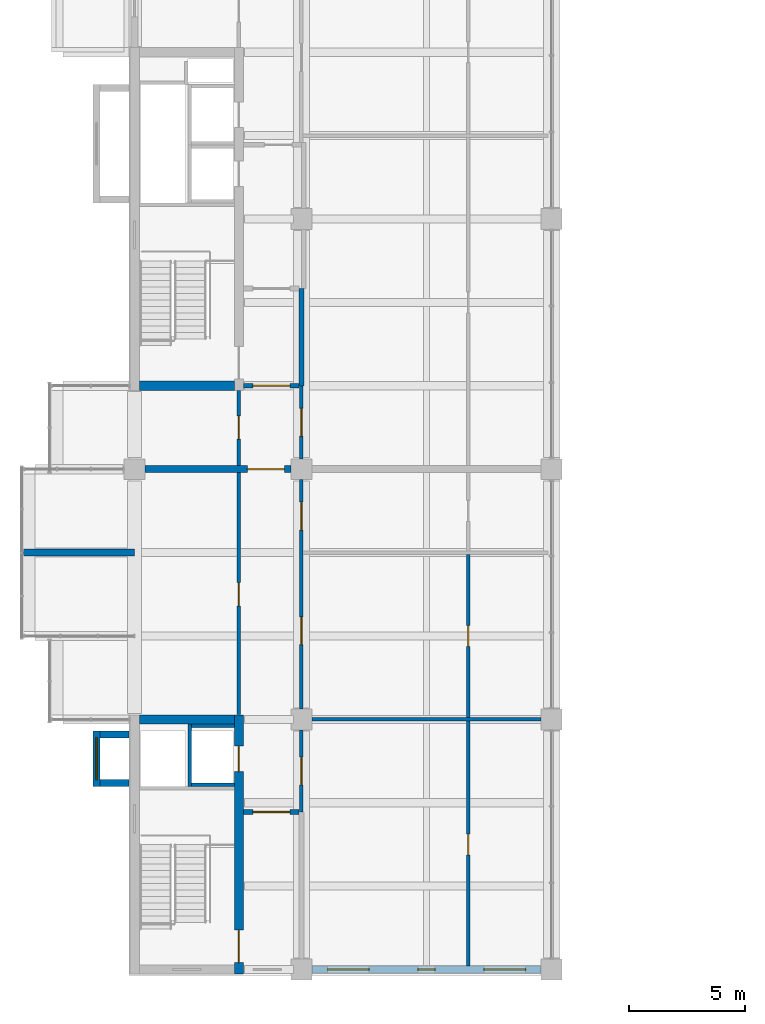
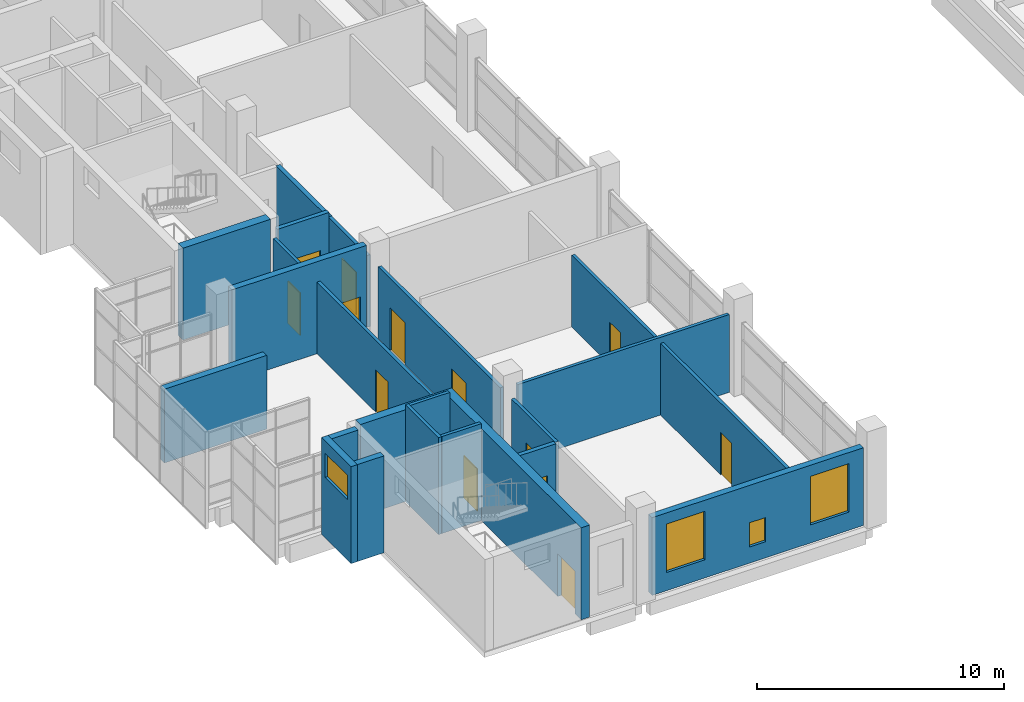
# One storey, part 22 of 32: 23 walls, 13 doors, 4 windows, 17 openings.
"""IFC4 building model written with IfcOpenShell, lengths in metres."""

from ifc_helpers import new_model, si_unit, direction, frame, frame_2d, origin, place, context, subcontext, project, spatial, rectangle, extrude, material, layer, layer_set, type_object, element, fill, save


model = new_model("IFC4")

# Units and contexts
model_context = context("Model", 3, precision=1e-05, world=origin(), true_north=direction((0.0, 1.0)))
body_context = subcontext(model_context, "Body", "Model", "MODEL_VIEW")
ifc_project = project(units=[si_unit("LENGTHUNIT", "METRE"), si_unit("AREAUNIT", "SQUARE_METRE"), si_unit("VOLUMEUNIT", "CUBIC_METRE"), si_unit("PLANEANGLEUNIT", "RADIAN"), si_unit("MASSUNIT", "GRAM", prefix="KILO")], contexts=[model_context])

# Site, building, storey
site_placement = place(None, origin())
site = spatial("IfcSite", under=ifc_project, at=site_placement, CompositionType="ELEMENT")
building_placement = place(site_placement, origin())
building = spatial("IfcBuilding", under=site, at=building_placement, Name="Basin Gate Institute", CompositionType="ELEMENT")
storey_placement = place(building_placement, frame((0.0, 0.0, 41.39990234375)))
storey = spatial("IfcBuildingStorey", under=building, at=storey_placement, Name="L08", CompositionType="ELEMENT", Elevation=41.39990234375)

# Wall
ifc_material_1 = material(Name="Aluminium-faced insulated panel wall", Category="aluminium")
ifc_layer_1 = layer(ifc_material_1, 0.300048828125)
ifc_layer_set_1 = layer_set([ifc_layer_1], Name="Capsule side wall EW2 EI 120")
wall_type_1 = type_object("IfcWallType", Name="Capsule side wall EW2 EI 120", PredefinedType="STANDARD", material=ifc_layer_set_1)
wall_1_placement = place(storey_placement, frame((56.39990234375, 53.10009765625, 0.0), z_axis=(0.0, 0.0, 1.0), x_axis=(1.0, 0.0, 0.0)))
element("IfcWall", 1, at=wall_1_placement, inside=storey, type_object=wall_type_1, material=ifc_layer_set_1, Name="Capsule side wall W wing L08 line 6", PredefinedType="STANDARD", context=body_context, shape_type="SweptSolid", body=[
    extrude(rectangle(XDim=4.800048828125, YDim=0.300048828125, at=frame_2d((2.39990234375, 0.0))), origin(), (0.0, 0.0, 1.0), 3.650146484375),
])

# Wall, opening, door
ifc_material_2 = material(Name="Fire-rated masonry", Category="masonry")
ifc_layer_2 = layer(ifc_material_2, 0.199951171875)
ifc_layer_set_2 = layer_set([ifc_layer_2], Name="Enclosure wall PW2 200 EI 60")
wall_type_2 = type_object("IfcWallType", Name="Enclosure wall PW2 200 EI 60", PredefinedType="PARTITIONING", material=ifc_layer_set_2)
wall_2_placement = place(storey_placement, frame((65.89990234375, 41.89990234375, 0.0), z_axis=(0.0, 0.0, 1.0), x_axis=(1.0, 0.0, 0.0)))
wall_2 = element("IfcWall", 2, at=wall_2_placement, inside=storey, type_object=wall_type_2, material=ifc_layer_set_2, Name="Smoke lobby enclosure wall PW2 L08", PredefinedType="PARTITIONING", context=body_context, shape_type="SweptSolid", body=[
    extrude(rectangle(XDim=2.400146484375, YDim=0.199951171875, at=frame_2d((1.2001953125, 0.0))), origin(), (0.0, 0.0, 1.0), 3.550048828125),
])
opening_1_placement = place(wall_2_placement, frame((0.39990234375, 0.0, 0.0)))
opening_1 = element("IfcOpeningElement", 3, at=opening_1_placement, cuts=wall_2, Name="Opening DR403", PredefinedType="OPENING", context=body_context, shape_type="SweptSolid", body=[
    extrude(rectangle(XDim=1.60009765625, YDim=2.10009765625, at=frame_2d((0.800048828125, 1.050048828125))), frame((0.0, 0.10986328125, 0.0), z_axis=(0.0, -1.0, 0.0), x_axis=(1.0, 0.0, 0.0)), (0.0, 0.0, 1.0), 0.219970703125),
])
ifc_material_3 = material(Name="Steel fire door", Category="steel")
door_type_1 = type_object("IfcDoorType", Name="FD60 Smoke lobby door pair D8", OperationType="DOUBLE_DOOR_SINGLE_SWING", PredefinedType="DOOR", material=ifc_material_3)
door_1_placement = place(opening_1_placement, frame((1.60009765625, 0.0, 0.0), z_axis=(0.0, 0.0, 1.0), x_axis=(-1.0, 0.0, 0.0)))
door_1 = element("IfcDoor", 4, at=door_1_placement, inside=storey, type_object=door_type_1, material=ifc_material_3, Name="Smoke lobby door SS1 L08", OperationType="DOUBLE_DOOR_SINGLE_SWING", OverallHeight=2.10009765625, OverallWidth=1.60009765625, PredefinedType="DOOR", context=body_context, shape_type="SweptSolid", body=[
    extrude(rectangle(XDim=1.60009765625, YDim=2.10009765625, at=frame_2d((0.800048828125, 1.050048828125))), frame((0.0, 0.02490234375, 0.0), z_axis=(0.0, -1.0, 0.0), x_axis=(1.0, 0.0, 0.0)), (0.0, 0.0, 1.0), 0.050048828125),
])
fill(opening_1, door_1)

wall_3_placement = place(storey_placement, frame((65.89990234375, 60.300048828125, 0.0), z_axis=(0.0, 0.0, 1.0), x_axis=(1.0, 0.0, 0.0)))
wall_3 = element("IfcWall", 5, at=wall_3_placement, inside=storey, type_object=wall_type_2, material=ifc_layer_set_2, Name="Smoke lobby enclosure wall PW2 L08", PredefinedType="PARTITIONING", context=body_context, shape_type="SweptSolid", body=[
    extrude(rectangle(XDim=2.400146484375, YDim=0.199951171875, at=frame_2d((1.2001953125, 0.0))), origin(), (0.0, 0.0, 1.0), 3.85009765625),
])
opening_2_placement = place(wall_3_placement, frame((0.39990234375, 0.0, 0.0)))
opening_2 = element("IfcOpeningElement", 6, at=opening_2_placement, cuts=wall_3, Name="Opening DR404", PredefinedType="OPENING", context=body_context, shape_type="SweptSolid", body=[
    extrude(rectangle(XDim=1.60009765625, YDim=2.10009765625, at=frame_2d((0.800048828125, 1.050048828125))), frame((0.0, 0.10986328125, 0.0), z_axis=(0.0, -1.0, 0.0), x_axis=(1.0, 0.0, 0.0)), (0.0, 0.0, 1.0), 0.219970703125),
])
door_2_placement = place(opening_2_placement, origin())
door_2 = element("IfcDoor", 7, at=door_2_placement, inside=storey, type_object=door_type_1, material=ifc_material_3, Name="Smoke lobby door SS2 L08", OperationType="DOUBLE_DOOR_SINGLE_SWING", OverallHeight=2.10009765625, OverallWidth=1.60009765625, PredefinedType="DOOR", context=body_context, shape_type="SweptSolid", body=[
    extrude(rectangle(XDim=1.60009765625, YDim=2.10009765625, at=frame_2d((0.800048828125, 1.050048828125))), frame((0.0, 0.02490234375, 0.0), z_axis=(0.0, -1.0, 0.0), x_axis=(1.0, 0.0, 0.0)), (0.0, 0.0, 1.0), 0.050048828125),
])
fill(opening_2, door_2)

# Wall
wall_4_placement = place(storey_placement, frame((68.39990234375, 60.300048828125, 0.0), z_axis=(0.0, 0.0, 1.0), x_axis=(0.0, 1.0, 0.0)))
element("IfcWall", 8, at=wall_4_placement, inside=storey, type_object=wall_type_2, material=ifc_layer_set_2, Name="Smoke lobby enclosure wall PW2 L08", PredefinedType="PARTITIONING", context=body_context, shape_type="SweptSolid", body=[
    extrude(rectangle(XDim=4.199951171875, YDim=0.199951171875, at=frame_2d((2.10009765625, 0.0))), origin(), (0.0, 0.0, 1.0), 3.550048828125),
])

# Wall, openings, windows
ifc_material_4 = material(Name="Aluminium-faced insulated panel wall", Category="aluminium")
ifc_layer_3 = layer(ifc_material_4, 0.300048828125)
ifc_layer_set_3 = layer_set([ifc_layer_3], Name="External wall EW1 EI 120")
wall_type_3 = type_object("IfcWallType", Name="External wall EW1 EI 120", PredefinedType="STANDARD", material=ifc_layer_set_3)
wall_5_placement = place(storey_placement, frame((68.85009765625, 35.10009765625, 0.0), z_axis=(0.0, 0.0, 1.0), x_axis=(1.0, 0.0, 0.0)))
wall_5 = element("IfcWall", 9, at=wall_5_placement, inside=storey, type_object=wall_type_3, material=ifc_layer_set_3, Name="External end wall W wing south L08 2", PredefinedType="STANDARD", context=body_context, shape_type="SweptSolid", body=[
    extrude(rectangle(XDim=9.89990234375, YDim=0.300048828125, at=frame_2d((4.949951171875, 0.0))), origin(), (0.0, 0.0, 1.0), 3.85009765625),
])
opening_3_placement = place(wall_5_placement, frame((0.675048828125, 0.0, 0.89990234375)))
opening_3 = element("IfcOpeningElement", 10, at=opening_3_placement, cuts=wall_5, Name="Opening WV1", PredefinedType="OPENING", context=body_context, shape_type="SweptSolid", body=[
    extrude(rectangle(XDim=1.800048828125, YDim=2.39990234375, at=frame_2d((0.89990234375, 1.199951171875))), frame((0.0, 0.16015625, 0.0), z_axis=(0.0, -1.0, 0.0), x_axis=(1.0, 0.0, 0.0)), (0.0, 0.0, 1.0), 0.320068359375),
])
opening_4_placement = place(wall_5_placement, frame((4.574951171875, 0.0, 0.800048828125)))
opening_4 = element("IfcOpeningElement", 11, at=opening_4_placement, cuts=wall_5, Name="Opening WN3", PredefinedType="OPENING", context=body_context, shape_type="SweptSolid", body=[
    extrude(rectangle(XDim=0.75, YDim=1.199951171875, at=frame_2d((0.375, 0.60009765625))), frame((0.0, 0.16015625, 0.0), z_axis=(0.0, -1.0, 0.0), x_axis=(1.0, 0.0, 0.0)), (0.0, 0.0, 1.0), 0.320068359375),
])
opening_5_placement = place(wall_5_placement, frame((7.425048828125, 0.0, 0.89990234375)))
opening_5 = element("IfcOpeningElement", 12, at=opening_5_placement, cuts=wall_5, Name="Opening WV1", PredefinedType="OPENING", context=body_context, shape_type="SweptSolid", body=[
    extrude(rectangle(XDim=1.800048828125, YDim=2.39990234375, at=frame_2d((0.89990234375, 1.199951171875))), frame((0.0, 0.16015625, 0.0), z_axis=(0.0, -1.0, 0.0), x_axis=(1.0, 0.0, 0.0)), (0.0, 0.0, 1.0), 0.320068359375),
])
ifc_material_5 = material(Name="Aluminium-framed double glazing", Category="aluminium")
window_type_1 = type_object("IfcWindowType", Name="Emergency entry panel WN3", PartitioningType="SINGLE_PANEL", PredefinedType="WINDOW", material=ifc_material_5)
window_1_placement = place(opening_4_placement, origin())
window_1 = element("IfcWindow", 13, at=window_1_placement, inside=storey, type_object=window_type_1, material=ifc_material_5, Name="Emergency entry panel W wing end S L08 bay 2", OverallHeight=1.199951171875, OverallWidth=0.75, PartitioningType="SINGLE_PANEL", PredefinedType="WINDOW", context=body_context, shape_type="SweptSolid", body=[
    extrude(rectangle(XDim=0.75, YDim=1.199951171875, at=frame_2d((0.375, 0.60009765625))), frame((0.0, 0.030029296875, 0.0), z_axis=(0.0, -1.0, 0.0), x_axis=(1.0, 0.0, 0.0)), (0.0, 0.0, 1.0), 0.06005859375),
])
fill(opening_4, window_1)
ifc_material_6 = material(Name="Aluminium louvre blades", Category="aluminium")
window_type_2 = type_object("IfcWindowType", Name="Services louvre panel WV1", PartitioningType="SINGLE_PANEL", PredefinedType="WINDOW", material=ifc_material_6)
window_2_placement = place(opening_3_placement, origin())
window_2 = element("IfcWindow", 14, at=window_2_placement, inside=storey, type_object=window_type_2, material=ifc_material_6, Name="Services louvre panel W wing end S L08 bay 1", OverallHeight=2.39990234375, OverallWidth=1.800048828125, PartitioningType="SINGLE_PANEL", PredefinedType="WINDOW", context=body_context, shape_type="SweptSolid", body=[
    extrude(rectangle(XDim=1.800048828125, YDim=2.39990234375, at=frame_2d((0.89990234375, 1.199951171875))), frame((0.0, 0.030029296875, 0.0), z_axis=(0.0, -1.0, 0.0), x_axis=(1.0, 0.0, 0.0)), (0.0, 0.0, 1.0), 0.06005859375),
])
fill(opening_3, window_2)
window_3_placement = place(opening_5_placement, origin())
window_3 = element("IfcWindow", 15, at=window_3_placement, inside=storey, type_object=window_type_2, material=ifc_material_6, Name="Services louvre panel W wing end S L08 bay 3", OverallHeight=2.39990234375, OverallWidth=1.800048828125, PartitioningType="SINGLE_PANEL", PredefinedType="WINDOW", context=body_context, shape_type="SweptSolid", body=[
    extrude(rectangle(XDim=1.800048828125, YDim=2.39990234375, at=frame_2d((0.89990234375, 1.199951171875))), frame((0.0, 0.030029296875, 0.0), z_axis=(0.0, -1.0, 0.0), x_axis=(1.0, 0.0, 0.0)), (0.0, 0.0, 1.0), 0.06005859375),
])
fill(opening_5, window_3)

# Wall, opening, door
ifc_material_7 = material(Name="Gypsum board on steel stud", Category="steel")
ifc_layer_4 = layer(ifc_material_7, 0.14990234375)
ifc_layer_set_4 = layer_set([ifc_layer_4], Name="Gypsum board on steel stud")
wall_type_4 = type_object("IfcWallType", Name="Partition PW1 150 EI 60", PredefinedType="PARTITIONING", material=ifc_layer_set_4)
wall_6_placement = place(storey_placement, frame((65.699951171875, 46.10009765625, 0.0), z_axis=(0.0, 0.0, 1.0), x_axis=(0.0, 1.0, 0.0)))
wall_6 = element("IfcWall", 16, at=wall_6_placement, inside=storey, type_object=wall_type_4, material=ifc_layer_set_4, Name="Corridor wall PW1 L08", PredefinedType="PARTITIONING", context=body_context, shape_type="SweptSolid", body=[
    extrude(rectangle(XDim=10.449951171875, YDim=0.14990234375, at=frame_2d((5.22509765625, 0.0))), origin(), (0.0, 0.0, 1.0), 3.550048828125),
])
opening_6_placement = place(wall_6_placement, frame((4.699951171875, 0.0, 0.0)))
opening_6 = element("IfcOpeningElement", 17, at=opening_6_placement, cuts=wall_6, Name="Opening DR382", PredefinedType="OPENING", context=body_context, shape_type="SweptSolid", body=[
    extrude(rectangle(XDim=1.0, YDim=2.10009765625, at=frame_2d((0.5, 1.050048828125))), frame((0.0, 0.0849609375, 0.0), z_axis=(0.0, -1.0, 0.0), x_axis=(1.0, 0.0, 0.0)), (0.0, 0.0, 1.0), 0.169921875),
])
ifc_material_8 = material(Name="Timber fire door", Category="wood")
door_type_2 = type_object("IfcDoorType", Name="FD30 Office door D1", OperationType="NOTDEFINED", PredefinedType="DOOR", material=ifc_material_8)
door_3_placement = place(opening_6_placement, origin())
door_3 = element("IfcDoor", 18, at=door_3_placement, inside=storey, type_object=door_type_2, material=ifc_material_8, Name="Door to Air Handling Plant Room 0801 L08", OperationType="SINGLE_SWING_LEFT", OverallHeight=2.10009765625, OverallWidth=1.0, PredefinedType="DOOR", context=body_context, shape_type="SweptSolid", body=[
    extrude(rectangle(XDim=1.0, YDim=2.10009765625, at=frame_2d((0.5, 1.050048828125))), frame((0.0, 0.02490234375, 0.0), z_axis=(0.0, -1.0, 0.0), x_axis=(1.0, 0.0, 0.0)), (0.0, 0.0, 1.0), 0.050048828125),
])
fill(opening_6, door_3)

wall_7_placement = place(storey_placement, frame((65.699951171875, 56.85009765625, 0.0), z_axis=(0.0, 0.0, 1.0), x_axis=(0.0, 1.0, 0.0)))
wall_7 = element("IfcWall", 19, at=wall_7_placement, inside=storey, type_object=wall_type_4, material=ifc_layer_set_4, Name="Corridor wall PW1 L08", PredefinedType="PARTITIONING", context=body_context, shape_type="SweptSolid", body=[
    extrude(rectangle(XDim=3.25, YDim=0.14990234375, at=frame_2d((1.625, 0.0))), origin(), (0.0, 0.0, 1.0), 3.550048828125),
])
opening_7_placement = place(wall_7_placement, frame((1.14990234375, 0.0, 0.0)))
opening_7 = element("IfcOpeningElement", 20, at=opening_7_placement, cuts=wall_7, Name="Opening DR392", PredefinedType="OPENING", context=body_context, shape_type="SweptSolid", body=[
    extrude(rectangle(XDim=1.0, YDim=2.10009765625, at=frame_2d((0.5, 1.050048828125))), frame((0.0, 0.0849609375, 0.0), z_axis=(0.0, -1.0, 0.0), x_axis=(1.0, 0.0, 0.0)), (0.0, 0.0, 1.0), 0.169921875),
])
door_4_placement = place(opening_7_placement, origin())
door_4 = element("IfcDoor", 21, at=door_4_placement, inside=storey, type_object=door_type_2, material=ifc_material_8, Name="Door to Mechanical Plant Room 0802 L08", OperationType="SINGLE_SWING_RIGHT", OverallHeight=2.10009765625, OverallWidth=1.0, PredefinedType="DOOR", context=body_context, shape_type="SweptSolid", body=[
    extrude(rectangle(XDim=1.0, YDim=2.10009765625, at=frame_2d((0.5, 1.050048828125))), frame((0.0, 0.02490234375, 0.0), z_axis=(0.0, -1.0, 0.0), x_axis=(1.0, 0.0, 0.0)), (0.0, 0.0, 1.0), 0.050048828125),
])
fill(opening_7, door_4)

wall_8_placement = place(storey_placement, frame((68.39990234375, 41.89990234375, 0.0), z_axis=(0.0, 0.0, 1.0), x_axis=(0.0, 1.0, 0.0)))
wall_8 = element("IfcWall", 22, at=wall_8_placement, inside=storey, type_object=wall_type_4, material=ifc_layer_set_4, Name="Laboratory corridor wall PW1 L08", PredefinedType="PARTITIONING", context=body_context, shape_type="SweptSolid", body=[
    extrude(rectangle(XDim=3.550048828125, YDim=0.14990234375, at=frame_2d((1.77490234375, 0.0))), origin(), (0.0, 0.0, 1.0), 3.550048828125),
])
opening_8_placement = place(wall_8_placement, frame((1.175048828125, 0.0, 0.0)))
opening_8 = element("IfcOpeningElement", 23, at=opening_8_placement, cuts=wall_8, Name="Opening DR383", PredefinedType="OPENING", context=body_context, shape_type="SweptSolid", body=[
    extrude(rectangle(XDim=1.199951171875, YDim=2.10009765625, at=frame_2d((0.60009765625, 1.050048828125))), frame((0.0, 0.0849609375, 0.0), z_axis=(0.0, -1.0, 0.0), x_axis=(1.0, 0.0, 0.0)), (0.0, 0.0, 1.0), 0.169921875),
])
ifc_material_9 = material(Name="Timber fire door", Category="wood")
door_type_3 = type_object("IfcDoorType", Name="FD30 Laboratory door D2", OperationType="DOUBLE_DOOR_SINGLE_SWING", PredefinedType="DOOR", material=ifc_material_9)
door_5_placement = place(opening_8_placement, frame((1.199951171875, 0.0, 0.0), z_axis=(0.0, 0.0, 1.0), x_axis=(-1.0, 0.0, 0.0)))
door_5 = element("IfcDoor", 24, at=door_5_placement, inside=storey, type_object=door_type_3, material=ifc_material_9, Name="Door to Air Handling Plant Room 0814 L08", OperationType="DOUBLE_DOOR_SINGLE_SWING", OverallHeight=2.10009765625, OverallWidth=1.199951171875, PredefinedType="DOOR", context=body_context, shape_type="SweptSolid", body=[
    extrude(rectangle(XDim=1.199951171875, YDim=2.10009765625, at=frame_2d((0.60009765625, 1.050048828125))), frame((0.0, 0.02490234375, 0.0), z_axis=(0.0, -1.0, 0.0), x_axis=(1.0, 0.0, 0.0)), (0.0, 0.0, 1.0), 0.050048828125),
])
fill(opening_8, door_5)

# Wall, openings, doors
wall_9_placement = place(storey_placement, frame((68.39990234375, 46.35009765625, 0.0), z_axis=(0.0, 0.0, 1.0), x_axis=(0.0, 1.0, 0.0)))
wall_9 = element("IfcWall", 25, at=wall_9_placement, inside=storey, type_object=wall_type_4, material=ifc_layer_set_4, Name="Laboratory corridor wall PW1 L08", PredefinedType="PARTITIONING", context=body_context, shape_type="SweptSolid", body=[
    extrude(rectangle(XDim=9.89990234375, YDim=0.14990234375, at=frame_2d((4.949951171875, 0.0))), origin(), (0.0, 0.0, 1.0), 3.550048828125),
])
opening_9_placement = place(wall_9_placement, frame((2.77490234375, 0.0, 0.0)))
opening_9 = element("IfcOpeningElement", 26, at=opening_9_placement, cuts=wall_9, Name="Opening DR386", PredefinedType="OPENING", context=body_context, shape_type="SweptSolid", body=[
    extrude(rectangle(XDim=1.199951171875, YDim=2.10009765625, at=frame_2d((0.60009765625, 1.050048828125))), frame((0.0, 0.0849609375, 0.0), z_axis=(0.0, -1.0, 0.0), x_axis=(1.0, 0.0, 0.0)), (0.0, 0.0, 1.0), 0.169921875),
])
opening_10_placement = place(wall_9_placement, frame((7.72509765625, 0.0, 0.0)))
opening_10 = element("IfcOpeningElement", 27, at=opening_10_placement, cuts=wall_9, Name="Opening DR389", PredefinedType="OPENING", context=body_context, shape_type="SweptSolid", body=[
    extrude(rectangle(XDim=1.199951171875, YDim=2.10009765625, at=frame_2d((0.60009765625, 1.050048828125))), frame((0.0, 0.0849609375, 0.0), z_axis=(0.0, -1.0, 0.0), x_axis=(1.0, 0.0, 0.0)), (0.0, 0.0, 1.0), 0.169921875),
])
door_6_placement = place(opening_9_placement, frame((1.199951171875, 0.0, 0.0), z_axis=(0.0, 0.0, 1.0), x_axis=(-1.0, 0.0, 0.0)))
door_6 = element("IfcDoor", 28, at=door_6_placement, inside=storey, type_object=door_type_3, material=ifc_material_9, Name="Door to Chilled Water Plant Room 0816 L08", OperationType="DOUBLE_DOOR_SINGLE_SWING", OverallHeight=2.10009765625, OverallWidth=1.199951171875, PredefinedType="DOOR", context=body_context, shape_type="SweptSolid", body=[
    extrude(rectangle(XDim=1.199951171875, YDim=2.10009765625, at=frame_2d((0.60009765625, 1.050048828125))), frame((0.0, 0.02490234375, 0.0), z_axis=(0.0, -1.0, 0.0), x_axis=(1.0, 0.0, 0.0)), (0.0, 0.0, 1.0), 0.050048828125),
])
fill(opening_9, door_6)
door_7_placement = place(opening_10_placement, frame((1.199951171875, 0.0, 0.0), z_axis=(0.0, 0.0, 1.0), x_axis=(-1.0, 0.0, 0.0)))
door_7 = element("IfcDoor", 29, at=door_7_placement, inside=storey, type_object=door_type_3, material=ifc_material_9, Name="Door to Exhaust Fan Room 0818 L08", OperationType="DOUBLE_DOOR_SINGLE_SWING", OverallHeight=2.10009765625, OverallWidth=1.199951171875, PredefinedType="DOOR", context=body_context, shape_type="SweptSolid", body=[
    extrude(rectangle(XDim=1.199951171875, YDim=2.10009765625, at=frame_2d((0.60009765625, 1.050048828125))), frame((0.0, 0.02490234375, 0.0), z_axis=(0.0, -1.0, 0.0), x_axis=(1.0, 0.0, 0.0)), (0.0, 0.0, 1.0), 0.050048828125),
])
fill(opening_10, door_7)

# Wall, opening, door
wall_10_placement = place(storey_placement, frame((68.39990234375, 57.14990234375, 0.0), z_axis=(0.0, 0.0, 1.0), x_axis=(0.0, 1.0, 0.0)))
wall_10 = element("IfcWall", 30, at=wall_10_placement, inside=storey, type_object=wall_type_4, material=ifc_layer_set_4, Name="Laboratory corridor wall PW1 L08", PredefinedType="PARTITIONING", context=body_context, shape_type="SweptSolid", body=[
    extrude(rectangle(XDim=3.150146484375, YDim=0.14990234375, at=frame_2d((1.5751953125, 0.0))), origin(), (0.0, 0.0, 1.0), 3.550048828125),
])
opening_11_placement = place(wall_10_placement, frame((0.97509765625, 0.0, 0.0)))
opening_11 = element("IfcOpeningElement", 31, at=opening_11_placement, cuts=wall_10, Name="Opening DR384", PredefinedType="OPENING", context=body_context, shape_type="SweptSolid", body=[
    extrude(rectangle(XDim=1.199951171875, YDim=2.10009765625, at=frame_2d((0.60009765625, 1.050048828125))), frame((0.0, 0.0849609375, 0.0), z_axis=(0.0, -1.0, 0.0), x_axis=(1.0, 0.0, 0.0)), (0.0, 0.0, 1.0), 0.169921875),
])
door_8_placement = place(opening_11_placement, frame((1.199951171875, 0.0, 0.0), z_axis=(0.0, 0.0, 1.0), x_axis=(-1.0, 0.0, 0.0)))
door_8 = element("IfcDoor", 32, at=door_8_placement, inside=storey, type_object=door_type_3, material=ifc_material_9, Name="Door to Air Handling Plant Room 0820 L08", OperationType="DOUBLE_DOOR_SINGLE_SWING", OverallHeight=2.10009765625, OverallWidth=1.199951171875, PredefinedType="DOOR", context=body_context, shape_type="SweptSolid", body=[
    extrude(rectangle(XDim=1.199951171875, YDim=2.10009765625, at=frame_2d((0.60009765625, 1.050048828125))), frame((0.0, 0.02490234375, 0.0), z_axis=(0.0, -1.0, 0.0), x_axis=(1.0, 0.0, 0.0)), (0.0, 0.0, 1.0), 0.050048828125),
])
fill(opening_11, door_8)

wall_11_placement = place(storey_placement, frame((75.60009765625, 35.25, 0.0), z_axis=(0.0, 0.0, 1.0), x_axis=(0.0, 1.0, 0.0)))
wall_11 = element("IfcWall", 33, at=wall_11_placement, inside=storey, type_object=wall_type_4, material=ifc_layer_set_4, Name="Laboratory partition PW1 L08", PredefinedType="PARTITIONING", context=body_context, shape_type="SweptSolid", body=[
    extrude(rectangle(XDim=10.574951171875, YDim=0.14990234375, at=frame_2d((5.28759765625, 0.0))), origin(), (0.0, 0.0, 1.0), 3.550048828125),
])
opening_12_placement = place(wall_11_placement, frame((4.800048828125, 0.0, 0.0)))
opening_12 = element("IfcOpeningElement", 34, at=opening_12_placement, cuts=wall_11, Name="Opening DR394", PredefinedType="OPENING", context=body_context, shape_type="SweptSolid", body=[
    extrude(rectangle(XDim=0.89990234375, YDim=2.10009765625, at=frame_2d((0.449951171875, 1.050048828125))), frame((0.0, 0.0849609375, 0.0), z_axis=(0.0, -1.0, 0.0), x_axis=(1.0, 0.0, 0.0)), (0.0, 0.0, 1.0), 0.169921875),
])
ifc_material_10 = material(Name="Steel fire door", Category="steel")
door_type_4 = type_object("IfcDoorType", Name="FD60 Riser door D10", OperationType="NOTDEFINED", PredefinedType="DOOR", material=ifc_material_10)
door_9_placement = place(opening_12_placement, origin())
door_9 = element("IfcDoor", 35, at=door_9_placement, inside=storey, type_object=door_type_4, material=ifc_material_10, Name="Door to Riser Room 0815 L08", OperationType="SINGLE_SWING_LEFT", OverallHeight=2.10009765625, OverallWidth=0.89990234375, PredefinedType="DOOR", context=body_context, shape_type="SweptSolid", body=[
    extrude(rectangle(XDim=0.89990234375, YDim=2.10009765625, at=frame_2d((0.449951171875, 1.050048828125))), frame((0.0, 0.02490234375, 0.0), z_axis=(0.0, -1.0, 0.0), x_axis=(1.0, 0.0, 0.0)), (0.0, 0.0, 1.0), 0.050048828125),
])
fill(opening_12, door_9)

wall_12_placement = place(storey_placement, frame((75.60009765625, 45.97509765625, 0.0), z_axis=(0.0, 0.0, 1.0), x_axis=(0.0, 1.0, 0.0)))
wall_12 = element("IfcWall", 36, at=wall_12_placement, inside=storey, type_object=wall_type_4, material=ifc_layer_set_4, Name="Laboratory partition PW1 L08", PredefinedType="PARTITIONING", context=body_context, shape_type="SweptSolid", body=[
    extrude(rectangle(XDim=7.0498046875, YDim=0.14990234375, at=frame_2d((3.52490234375, 0.0))), origin(), (0.0, 0.0, 1.0), 3.550048828125),
])
opening_13_placement = place(wall_12_placement, frame((3.074951171875, 0.0, 0.0)))
opening_13 = element("IfcOpeningElement", 37, at=opening_13_placement, cuts=wall_12, Name="Opening DR395", PredefinedType="OPENING", context=body_context, shape_type="SweptSolid", body=[
    extrude(rectangle(XDim=0.89990234375, YDim=2.10009765625, at=frame_2d((0.449951171875, 1.050048828125))), frame((0.0, 0.0849609375, 0.0), z_axis=(0.0, -1.0, 0.0), x_axis=(1.0, 0.0, 0.0)), (0.0, 0.0, 1.0), 0.169921875),
])
door_10_placement = place(opening_13_placement, origin())
door_10 = element("IfcDoor", 38, at=door_10_placement, inside=storey, type_object=door_type_4, material=ifc_material_10, Name="Door to Riser Room 0817 L08", OperationType="SINGLE_SWING_LEFT", OverallHeight=2.10009765625, OverallWidth=0.89990234375, PredefinedType="DOOR", context=body_context, shape_type="SweptSolid", body=[
    extrude(rectangle(XDim=0.89990234375, YDim=2.10009765625, at=frame_2d((0.449951171875, 1.050048828125))), frame((0.0, 0.02490234375, 0.0), z_axis=(0.0, -1.0, 0.0), x_axis=(1.0, 0.0, 0.0)), (0.0, 0.0, 1.0), 0.050048828125),
])
fill(opening_13, door_10)

# Walls
wall_13_placement = place(storey_placement, frame((68.85009765625, 45.89990234375, 0.0), z_axis=(0.0, 0.0, 1.0), x_axis=(1.0, 0.0, 0.0)))
element("IfcWall", 39, at=wall_13_placement, inside=storey, type_object=wall_type_4, material=ifc_layer_set_4, Name="Laboratory partition PW1 L08", PredefinedType="PARTITIONING", context=body_context, shape_type="SweptSolid", body=[
    extrude(rectangle(XDim=9.89990234375, YDim=0.14990234375, at=frame_2d((4.949951171875, 0.0))), origin(), (0.0, 0.0, 1.0), 3.85009765625),
])
ifc_material_11 = material(Name="Concrete 40 MPa", Category="concrete")
ifc_layer_5 = layer(ifc_material_11, 0.14990234375)
ifc_layer_set_5 = layer_set([ifc_layer_5], Name="Concrete 40 MPa")
wall_type_5 = type_object("IfcWallType", Name="Wall LS1 lift shaft enclosure R120", PredefinedType="SOLIDWALL", material=ifc_layer_set_5)
wall_14_placement = place(storey_placement, frame((63.574951171875, 43.0, 0.0), z_axis=(0.0, 0.0, 1.0), x_axis=(0.0, 1.0, 0.0)))
element("IfcWall", 40, at=wall_14_placement, inside=storey, type_object=wall_type_5, material=ifc_layer_set_5, Name="Lift shaft enclosure LP1 L08 UL", PredefinedType="SOLIDWALL", context=body_context, shape_type="SweptSolid", body=[
    extrude(rectangle(XDim=2.699951171875, YDim=0.14990234375, at=frame_2d((1.35009765625, 0.0))), origin(), (0.0, 0.0, 1.0), 4.800048828125),
])
for number, where, z_axis, x_axis, name in (
    (41, (63.64990234375, 43.074951171875, 0.0), (0.0, 0.0, 1.0), (1.0, 0.0, 0.0), "Lift shaft enclosure LP1 L08 RL"),
    (42, (63.64990234375, 45.625, 0.0), (0.0, 0.0, 1.0), (1.0, 0.0, 0.0), "Lift shaft enclosure LP1 L08 RH"),
):
    element("IfcWall", number, at=place(storey_placement, frame(where, z_axis=z_axis, x_axis=x_axis)), inside=storey, type_object=wall_type_5, material=ifc_layer_set_5, Name=name, PredefinedType="SOLIDWALL", context=body_context, shape_type="SweptSolid", body=[
        extrude(rectangle(XDim=1.85009765625, YDim=0.14990234375, at=frame_2d((0.925048828125, 0.0))), origin(), (0.0, 0.0, 1.0), 4.800048828125),
    ])

# Wall, opening, window
ifc_material_12 = material(Name="Concrete 50 MPa", Category="concrete")
ifc_layer_6 = layer(ifc_material_12, 0.300048828125)
ifc_layer_set_6 = layer_set([ifc_layer_6], Name="Concrete 50 MPa")
wall_type_6 = type_object("IfcWallType", Name="Wall SK1 R120", PredefinedType="SHEAR", material=ifc_layer_set_6)
wall_15_placement = place(storey_placement, frame((59.550048828125, 43.0, 0.0), z_axis=(0.0, 0.0, 1.0), x_axis=(0.0, 1.0, 0.0)))
wall_15 = element("IfcWall", 43, at=wall_15_placement, inside=storey, type_object=wall_type_6, material=ifc_layer_set_6, Name="Spine riser stack wall SK1 WS F L08", PredefinedType="SHEAR", context=body_context, shape_type="SweptSolid", body=[
    extrude(rectangle(XDim=2.39990234375, YDim=0.300048828125, at=frame_2d((1.199951171875, 0.0))), origin(), (0.0, 0.0, 1.0), 4.800048828125),
])
opening_14_placement = place(wall_15_placement, frame((0.300048828125, 0.0, 3.0)))
opening_14 = element("IfcOpeningElement", 44, at=opening_14_placement, cuts=wall_15, Name="Opening WL2", PredefinedType="OPENING", context=body_context, shape_type="SweptSolid", body=[
    extrude(rectangle(XDim=1.800048828125, YDim=1.199951171875, at=frame_2d((0.89990234375, 0.60009765625))), frame((0.0, 0.16015625, 0.0), z_axis=(0.0, -1.0, 0.0), x_axis=(1.0, 0.0, 0.0)), (0.0, 0.0, 1.0), 0.320068359375),
])
ifc_material_13 = material(Name="Aluminium louvre blades with fire damper", Category="aluminium")
window_type_3 = type_object("IfcWindowType", Name="Riser louvre EI 120 WL2", PartitioningType="SINGLE_PANEL", PredefinedType="WINDOW", material=ifc_material_13)
window_4_placement = place(opening_14_placement, origin())
window_4 = element("IfcWindow", 45, at=window_4_placement, inside=storey, type_object=window_type_3, material=ifc_material_13, Name="Riser louvre EI 120 WS riser 1 L08", OverallHeight=1.199951171875, OverallWidth=1.800048828125, PartitioningType="SINGLE_PANEL", PredefinedType="WINDOW", context=body_context, shape_type="SweptSolid", body=[
    extrude(rectangle(XDim=1.800048828125, YDim=1.199951171875, at=frame_2d((0.89990234375, 0.60009765625))), frame((0.0, 0.030029296875, 0.0), z_axis=(0.0, -1.0, 0.0), x_axis=(1.0, 0.0, 0.0)), (0.0, 0.0, 1.0), 0.06005859375),
])
fill(opening_14, window_4)

# Walls
for number, where, z_axis, x_axis, name in (
    (46, (60.949951171875, 43.14990234375, 0.0), (0.0, 0.0, 1.0), (-1.0, 0.0, 0.0), "Spine riser stack wall SK1 WS A L08"),
    (47, (60.949951171875, 45.25, 0.0), (0.0, 0.0, 1.0), (-1.0, 0.0, 0.0), "Spine riser stack wall SK1 WS B L08"),
):
    element("IfcWall", number, at=place(storey_placement, frame(where, z_axis=z_axis, x_axis=x_axis)), inside=storey, type_object=wall_type_6, material=ifc_layer_set_6, Name=name, PredefinedType="SHEAR", context=body_context, shape_type="SweptSolid", body=[
        extrude(rectangle(XDim=1.25, YDim=0.300048828125, at=frame_2d((0.625, 0.0))), origin(), (0.0, 0.0, 1.0), 4.800048828125),
    ])

# Wall, openings, doors
ifc_material_14 = material(Name="Concrete 50 MPa", Category="concrete")
ifc_layer_7 = layer(ifc_material_14, 0.39990234375)
ifc_layer_set_7 = layer_set([ifc_layer_7], Name="Concrete 50 MPa")
wall_type_7 = type_object("IfcWallType", Name="Wall SW2 R120", PredefinedType="SHEAR", material=ifc_layer_set_7)
wall_16_placement = place(storey_placement, frame((65.699951171875, 34.89990234375, 0.0), z_axis=(0.0, 0.0, 1.0), x_axis=(0.0, 1.0, 0.0)))
wall_16 = element("IfcWall", 48, at=wall_16_placement, inside=storey, type_object=wall_type_7, material=ifc_layer_set_7, Name="WALL/L08/WS/C", PredefinedType="SHEAR", context=body_context, shape_type="SweptSolid", body=[
    extrude(rectangle(XDim=11.2001953125, YDim=0.39990234375, at=frame_2d((5.60009765625, 0.0))), origin(), (0.0, 0.0, 1.0), 4.550048828125),
])
opening_15_placement = place(wall_16_placement, frame((0.5, 0.0, 0.0)))
opening_15 = element("IfcOpeningElement", 49, at=opening_15_placement, cuts=wall_16, Name="Opening DS049", PredefinedType="OPENING", context=body_context, shape_type="SweptSolid", body=[
    extrude(rectangle(XDim=1.39990234375, YDim=2.10009765625, at=frame_2d((0.699951171875, 1.050048828125))), frame((0.0, 0.2099609375, 0.0), z_axis=(0.0, -1.0, 0.0), x_axis=(1.0, 0.0, 0.0)), (0.0, 0.0, 1.0), 0.419921875),
])
opening_16_placement = place(wall_16_placement, frame((8.75, 0.0, 0.0)))
opening_16 = element("IfcOpeningElement", 50, at=opening_16_placement, cuts=wall_16, Name="Opening LD011", PredefinedType="OPENING", context=body_context, shape_type="SweptSolid", body=[
    extrude(rectangle(XDim=1.10009765625, YDim=2.10009765625, at=frame_2d((0.550048828125, 1.050048828125))), frame((0.0, 0.2099609375, 0.0), z_axis=(0.0, -1.0, 0.0), x_axis=(1.0, 0.0, 0.0)), (0.0, 0.0, 1.0), 0.419921875),
])
ifc_material_15 = material(Name="Steel fire door", Category="steel")
door_type_5 = type_object("IfcDoorType", Name="FD30 Stair enclosure door DS", OperationType="DOUBLE_DOOR_SINGLE_SWING", PredefinedType="DOOR", material=ifc_material_15)
door_11_placement = place(opening_15_placement, origin())
door_11 = element("IfcDoor", 51, at=door_11_placement, inside=storey, type_object=door_type_5, material=ifc_material_15, Name="Stair enclosure door ST-WS L08", OperationType="DOUBLE_DOOR_SINGLE_SWING", OverallHeight=2.10009765625, OverallWidth=1.39990234375, PredefinedType="DOOR", context=body_context, shape_type="SweptSolid", body=[
    extrude(rectangle(XDim=1.39990234375, YDim=2.10009765625, at=frame_2d((0.699951171875, 1.050048828125))), frame((0.0, 0.02490234375, 0.0), z_axis=(0.0, -1.0, 0.0), x_axis=(1.0, 0.0, 0.0)), (0.0, 0.0, 1.0), 0.050048828125),
])
fill(opening_15, door_11)
ifc_material_16 = material(Name="Stainless steel", Category="steel")
door_type_6 = type_object("IfcDoorType", Name="FD60 Lift landing door LD", OperationType="SLIDING_TO_LEFT", PredefinedType="DOOR", material=ifc_material_16)
door_12_placement = place(opening_16_placement, origin())
door_12 = element("IfcDoor", 52, at=door_12_placement, inside=storey, type_object=door_type_6, material=ifc_material_16, Name="Lift landing door LP1 L08", OperationType="SLIDING_TO_LEFT", OverallHeight=2.10009765625, OverallWidth=1.10009765625, PredefinedType="DOOR", context=body_context, shape_type="SweptSolid", body=[
    extrude(rectangle(XDim=1.10009765625, YDim=2.10009765625, at=frame_2d((0.550048828125, 1.050048828125))), frame((0.0, 0.02490234375, 0.0), z_axis=(0.0, -1.0, 0.0), x_axis=(1.0, 0.0, 0.0)), (0.0, 0.0, 1.0), 0.050048828125),
])
fill(opening_16, door_12)

# Walls
for number, where, z_axis, x_axis, name in (
    (53, (61.39990234375, 45.89990234375, 0.0), (0.0, 0.0, 1.0), (1.0, 0.0, 0.0), "WALL/L08/WS/N"),
    (54, (61.39990234375, 60.300048828125, 0.0), (0.0, 0.0, 1.0), (1.0, 0.0, 0.0), "WALL/L08/WM/S"),
):
    element("IfcWall", number, at=place(storey_placement, frame(where, z_axis=z_axis, x_axis=x_axis)), inside=storey, type_object=wall_type_7, material=ifc_layer_set_7, Name=name, PredefinedType="SHEAR", context=body_context, shape_type="SweptSolid", body=[
        extrude(rectangle(XDim=4.10009765625, YDim=0.39990234375, at=frame_2d((2.050048828125, 0.0))), origin(), (0.0, 0.0, 1.0), 4.550048828125),
    ])

# Wall, opening, door
ifc_material_17 = material(Name="Concrete 50 MPa", Category="concrete")
ifc_layer_8 = layer(ifc_material_17, 0.300048828125)
ifc_layer_set_8 = layer_set([ifc_layer_8], Name="Concrete 50 MPa")
wall_type_8 = type_object("IfcWallType", Name="Wall XW1 R120", PredefinedType="SHEAR", material=ifc_layer_set_8)
wall_17_placement = place(storey_placement, frame((61.64990234375, 56.699951171875, 0.0), z_axis=(0.0, 0.0, 1.0), x_axis=(1.0, 0.0, 0.0)))
wall_17 = element("IfcWall", 55, at=wall_17_placement, inside=storey, type_object=wall_type_8, material=ifc_layer_set_8, Name="WALL/L08/WXC/1", PredefinedType="SHEAR", context=body_context, shape_type="SweptSolid", body=[
    extrude(rectangle(XDim=6.300048828125, YDim=0.300048828125, at=frame_2d((3.14990234375, 0.0))), origin(), (0.0, 0.0, 1.0), 4.550048828125),
])
opening_17_placement = place(wall_17_placement, frame((4.41259765625, 0.0, 0.0)))
opening_17 = element("IfcOpeningElement", 56, at=opening_17_placement, cuts=wall_17, Name="Opening DR407", PredefinedType="OPENING", context=body_context, shape_type="SweptSolid", body=[
    extrude(rectangle(XDim=1.60009765625, YDim=2.10009765625, at=frame_2d((0.800048828125, 1.050048828125))), frame((0.0, 0.16015625, 0.0), z_axis=(0.0, -1.0, 0.0), x_axis=(1.0, 0.0, 0.0)), (0.0, 0.0, 1.0), 0.320068359375),
])
ifc_material_18 = material(Name="Steel fire door", Category="steel")
door_type_7 = type_object("IfcDoorType", Name="FD60 Compartment door pair D7", OperationType="DOUBLE_DOOR_SINGLE_SWING", PredefinedType="DOOR", material=ifc_material_18)
door_13_placement = place(opening_17_placement, origin())
door_13 = element("IfcDoor", 57, at=door_13_placement, inside=storey, type_object=door_type_7, material=ifc_material_18, Name="Compartment door pair L08 W1 L08", OperationType="DOUBLE_DOOR_SINGLE_SWING", OverallHeight=2.10009765625, OverallWidth=1.60009765625, PredefinedType="DOOR", context=body_context, shape_type="SweptSolid", body=[
    extrude(rectangle(XDim=1.60009765625, YDim=2.10009765625, at=frame_2d((0.800048828125, 1.050048828125))), frame((0.0, 0.02490234375, 0.0), z_axis=(0.0, -1.0, 0.0), x_axis=(1.0, 0.0, 0.0)), (0.0, 0.0, 1.0), 0.050048828125),
])
fill(opening_17, door_13)

save(model, "model.ifc")
